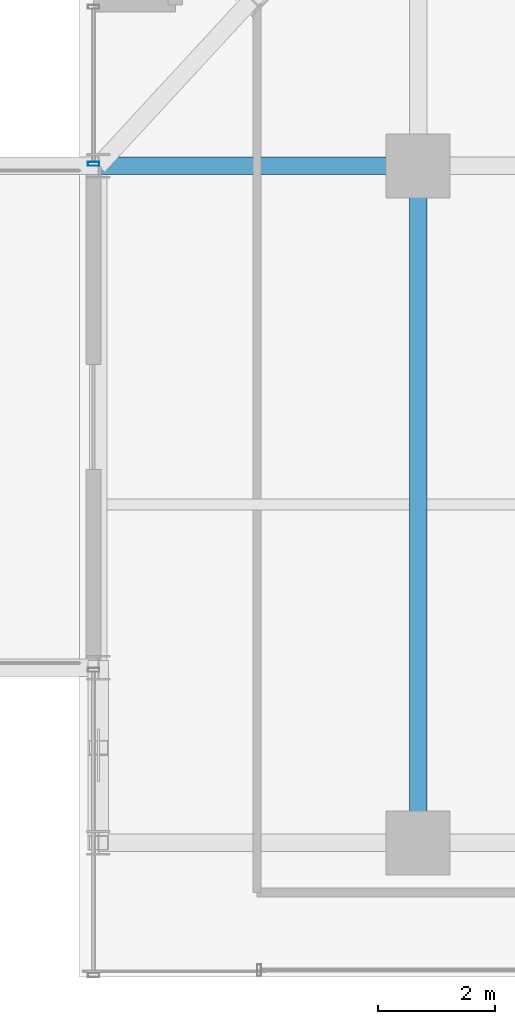
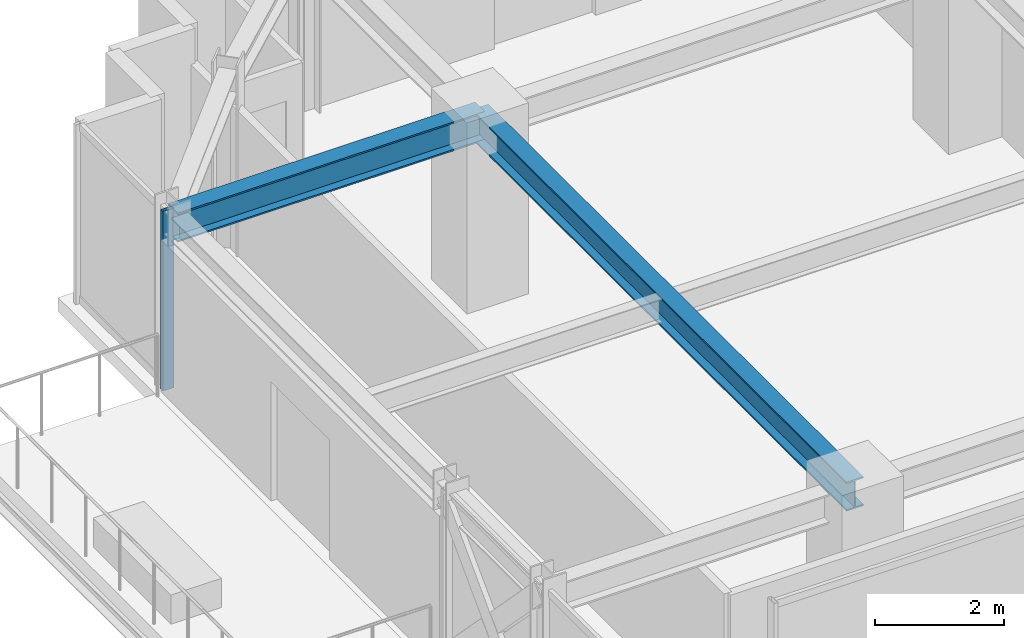
# One storey, part 21 of 37: 2 beams, 1 member, 1 element without a shape of its own.
"""IFC4 building model written with IfcOpenShell, lengths in metres."""

import ifcopenshell
import ifcopenshell.guid

model = None  # the IFC model being written
_history = None  # IfcOwnerHistory: only IFC2X3 demands one
_inside = {}  # id of a spatial element -> (the spatial element, [elements in it])
_under = {}  # id of a project, library or spatial element -> (it, [spatial elements below it])
_declared = {}  # id of a project -> (the project, [libraries it declares])
_typed = {}  # id of a type object -> (the type object, [elements of that type])
_made_of = {}  # id of a material, layer set ... -> (it, [elements and type objects made of it])


def new_model(schema):
    """Start an empty IFC model of exactly this schema.

    Asked for "IFC4X3", IfcOpenShell would pick the latest addendum, in which some entities
    have other attributes; the version numbers below select the first issue.
    IFC2X3 requires an IfcOwnerHistory on every rooted entity: one is made here for all.
    """
    global model, _history
    if schema == "IFC4X3":
        model = ifcopenshell.file(schema_version=(4, 3, 0, 0))
    else:
        model = ifcopenshell.file(schema=schema)
    _inside.clear()
    _under.clear()
    _declared.clear()
    _typed.clear()
    _made_of.clear()
    _history = None
    if model.schema == "IFC2X3":
        org = make("IfcOrganization", Name="unknown")
        user = make(
            "IfcPersonAndOrganization",
            ThePerson=make("IfcPerson", FamilyName="unknown"),
            TheOrganization=org,
        )
        app = make(
            "IfcApplication",
            ApplicationDeveloper=org,
            Version="unknown",
            ApplicationFullName="unknown",
            ApplicationIdentifier="unknown",
        )
        _history = make(
            "IfcOwnerHistory",
            OwningUser=user,
            OwningApplication=app,
            ChangeAction="ADDED",
            CreationDate=0,
        )
    return model


def make(cls, **values):
    """One entity of the class cls with the attributes given. An attribute that is None is left unset."""
    return model.create_entity(
        cls, **{name: value for name, value in values.items() if value is not None}
    )


def rooted(cls, **values):
    """An entity with a GlobalId (a new one), such as an element, a storey or a relation."""
    return make(cls, GlobalId=ifcopenshell.guid.new(), OwnerHistory=_history, **values)


def si_unit(unit_type, name, prefix=None):
    """IfcSIUnit, for example si_unit("LENGTHUNIT", "METRE", prefix="MILLI")."""
    return make("IfcSIUnit", UnitType=unit_type, Prefix=prefix, Name=name)


def assignment(units):
    """IfcUnitAssignment: the units of a project."""
    return None if units is None else make("IfcUnitAssignment", Units=units)


def point(xyz):
    """IfcCartesianPoint."""
    return None if xyz is None else make("IfcCartesianPoint", Coordinates=xyz)


def direction(xyz):
    """IfcDirection."""
    return None if xyz is None else make("IfcDirection", DirectionRatios=xyz)


def frame(location, z_axis=None, x_axis=None):
    """IfcAxis2Placement3D, a coordinate frame: its origin and axes. An axis left out is left unset."""
    return make(
        "IfcAxis2Placement3D",
        Location=point(location),
        Axis=direction(z_axis),
        RefDirection=direction(x_axis),
    )


def frame_2d(location, x_axis=None):
    """IfcAxis2Placement2D, a coordinate frame in the plane: its origin and x axis."""
    return make(
        "IfcAxis2Placement2D", Location=point(location), RefDirection=direction(x_axis)
    )


def origin():
    """The frame at (0, 0, 0) with its axes left unset."""
    return frame((0.0, 0.0, 0.0))


def origin_2d():
    """The frame at (0, 0) in the plane with its x axis left unset."""
    return frame_2d((0.0, 0.0))


def place(relative_to, where):
    """IfcLocalPlacement: puts the frame where relative to a parent placement (None: the world)."""
    return make(
        "IfcLocalPlacement", PlacementRelTo=relative_to, RelativePlacement=where
    )


def context(
    kind, dimensions, precision=None, world=None, true_north=None, identifier=None
):
    """IfcGeometricRepresentationContext, for example the 3D "Model" context."""
    return make(
        "IfcGeometricRepresentationContext",
        ContextIdentifier=identifier,
        ContextType=kind,
        CoordinateSpaceDimension=dimensions,
        Precision=precision,
        WorldCoordinateSystem=world,
        TrueNorth=true_north,
    )


def subcontext(parent, identifier, kind, view, scale=None):
    """IfcGeometricRepresentationSubContext, for example "Body" below "Model"."""
    return make(
        "IfcGeometricRepresentationSubContext",
        ContextIdentifier=identifier,
        ContextType=kind,
        ParentContext=parent,
        TargetScale=scale,
        TargetView=view,
    )


def project(units=None, contexts=None):
    """IfcProject with its units and contexts."""
    return rooted(
        "IfcProject",
        Name="project",
        RepresentationContexts=contexts,
        UnitsInContext=assignment(units),
    )


def spatial(cls, under=None, at=None, **own):
    """A site, building, storey or space (cls), placed at a placement, below another one or the project."""
    s = rooted(cls, ObjectPlacement=at, **own)
    if under is not None:
        _under.setdefault(under.id(), (under, []))[1].append(s)
    return s


def profile(cls, at=None, kind="AREA", **sizes):
    """A parametric profile (cls). Its sizes go by their IFC names, for example OverallWidth=200.0."""
    return make(cls, ProfileType=kind, Position=at, **sizes)


def hollow_rectangle(**sizes):
    """IfcRectangleHollowProfileDef."""
    return profile("IfcRectangleHollowProfileDef", **sizes)


def i_section(**sizes):
    """IfcIShapeProfileDef."""
    return profile("IfcIShapeProfileDef", **sizes)


def extrude(swept, where, along, depth):
    """IfcExtrudedAreaSolid: the profile swept, set in the frame where, extruded along a direction by depth."""
    return make(
        "IfcExtrudedAreaSolid",
        SweptArea=swept,
        Position=where,
        ExtrudedDirection=direction(along),
        Depth=depth,
    )


def shape(context_of_items, identifier, shape_type, items):
    """IfcShapeRepresentation: the items that make up one representation, for example the "Body"."""
    return make(
        "IfcShapeRepresentation",
        ContextOfItems=context_of_items,
        RepresentationIdentifier=identifier,
        RepresentationType=shape_type,
        Items=items,
    )


def source(mapping_origin, context_of_items, identifier, shape_type, items):
    """IfcRepresentationMap: a shape defined once, which mapped items show again and again."""
    return make(
        "IfcRepresentationMap",
        MappingOrigin=mapping_origin,
        MappedRepresentation=shape(context_of_items, identifier, shape_type, items),
    )


def transform(
    local_origin,
    x_axis=None,
    y_axis=None,
    z_axis=None,
    scale=None,
    scale2=None,
    scale3=None,
    uniform=True,
):
    """IfcCartesianTransformationOperator3D, or its non-uniform kind. x_axis, y_axis, z_axis: its Axis1, 2, 3."""
    if uniform:
        return make(
            "IfcCartesianTransformationOperator3D",
            Axis1=direction(x_axis),
            Axis2=direction(y_axis),
            LocalOrigin=point(local_origin),
            Scale=scale,
            Axis3=direction(z_axis),
        )
    return make(
        "IfcCartesianTransformationOperator3DnonUniform",
        Axis1=direction(x_axis),
        Axis2=direction(y_axis),
        LocalOrigin=point(local_origin),
        Scale=scale,
        Axis3=direction(z_axis),
        Scale2=scale2,
        Scale3=scale3,
    )


def mapped(mapping_source, mapping_target):
    """IfcMappedItem: shows the shape of a source again, moved by a transform."""
    return make(
        "IfcMappedItem", MappingSource=mapping_source, MappingTarget=mapping_target
    )


def material(Name=None, Category=None):
    """IfcMaterial."""
    return make("IfcMaterial", Name=Name, Category=Category)


def material_profile(
    of_material, cross_section, Name=None, Category=None, Priority=None
):
    """IfcMaterialProfile: a cross section and its material."""
    return make(
        "IfcMaterialProfile",
        Name=Name,
        Material=of_material,
        Profile=cross_section,
        Priority=Priority,
        Category=Category,
    )


def profile_set(profiles, Name=None, composite=None):
    """IfcMaterialProfileSet."""
    return make(
        "IfcMaterialProfileSet",
        Name=Name,
        MaterialProfiles=profiles,
        CompositeProfile=composite,
    )


def made_of(thing, what):
    """Note that an element or type object is made of a material, layer set ...; save() writes the relation."""
    if what is not None:
        _made_of.setdefault(what.id(), (what, []))[1].append(thing)
    return thing


def type_object(cls, material=None, **own):
    """A type object (cls), such as IfcWallType, which elements share."""
    return made_of(rooted(cls, **own), material)


def element(
    cls,
    number,
    at=None,
    inside=None,
    cuts=None,
    type_object=None,
    material=None,
    context=None,
    identifier="Body",
    shape_type=None,
    held_by="IfcProductDefinitionShape",
    body=None,
    shapes=None,
    **own,
):
    """One element of the class cls, such as IfcWall. Its Tag is "e" and its number.

    at: its placement. inside: the storey or other place that contains it. cuts: it is an
    opening in that element (IfcRelVoidsElement). A single representation is given by context,
    identifier, shape_type and body (its items); several are given by shapes. held_by: the class
    of the entity that holds the representations. save() writes the other relations.
    """
    e = rooted(cls, Tag="e%d" % number, ObjectPlacement=at, **own)
    if body is not None:
        shapes = [shape(context, identifier, shape_type, body)]
    if shapes is not None:
        e.Representation = make(held_by, Representations=shapes)
    if inside is not None:
        _inside.setdefault(inside.id(), (inside, []))[1].append(e)
    if cuts is not None:
        rooted(
            "IfcRelVoidsElement", RelatingBuildingElement=cuts, RelatedOpeningElement=e
        )
    if type_object is not None:
        _typed.setdefault(type_object.id(), (type_object, []))[1].append(e)
    return made_of(e, material)


def aggregate(whole, parts):
    """IfcRelAggregates: a whole, such as a stair, and the parts it consists of."""
    return rooted("IfcRelAggregates", RelatingObject=whole, RelatedObjects=parts)


def save(model, path):
    """Write the relations noted so far, then the file.

    IfcRelAggregates (storeys below a building ...), IfcRelContainedInSpatialStructure (elements
    in a storey), IfcRelDefinesByType, IfcRelAssociatesMaterial and IfcRelDeclares: one each for
    every whole, place, type object, material and project.
    """
    for whole, parts in _under.values():
        aggregate(whole, parts)
    for where, things in _inside.values():
        rooted(
            "IfcRelContainedInSpatialStructure",
            RelatedElements=things,
            RelatingStructure=where,
        )
    for kind, things in _typed.values():
        rooted("IfcRelDefinesByType", RelatedObjects=things, RelatingType=kind)
    for what, things in _made_of.values():
        rooted("IfcRelAssociatesMaterial", RelatedObjects=things, RelatingMaterial=what)
    for by, libraries in _declared.values():
        rooted("IfcRelDeclares", RelatingContext=by, RelatedDefinitions=libraries)
    model.write(path)


model = new_model("IFC4")

# Units and contexts
model_context = context("Model", 3, precision=1e-05, world=origin(), true_north=direction((0.0, 1.0)))
body_context = subcontext(model_context, "Body", "Model", "MODEL_VIEW")
ifc_project = project(units=[si_unit("LENGTHUNIT", "METRE"), si_unit("AREAUNIT", "SQUARE_METRE"), si_unit("VOLUMEUNIT", "CUBIC_METRE"), si_unit("PLANEANGLEUNIT", "RADIAN"), si_unit("MASSUNIT", "GRAM", prefix="KILO")], contexts=[model_context])

# Site, building, storey
site_placement = place(None, origin())
site = spatial("IfcSite", under=ifc_project, at=site_placement, CompositionType="ELEMENT")
building_placement = place(site_placement, origin())
building = spatial("IfcBuilding", under=site, at=building_placement, Name="Nahalor Promenade Grand Hotel", CompositionType="ELEMENT")
storey_placement = place(building_placement, frame((0.0, 0.0, 167.25)))
storey = spatial("IfcBuildingStorey", under=building, at=storey_placement, Name="L42", CompositionType="ELEMENT", Elevation=167.25)

# Beams
ifc_material_1 = material(Name="Steel S355JR", Category="steel")
ifc_material_profile_1 = material_profile(ifc_material_1, i_section(OverallWidth=0.3, OverallDepth=0.55, WebThickness=0.015, FlangeThickness=0.029, at=origin_2d()), Name="HEB 550")
ifc_profile_set_1 = profile_set([ifc_material_profile_1], Name="Steel S355JR")
beam_type = type_object("IfcBeamType", Name="Beam-Girder-HEB550", PredefinedType="BEAM", material=ifc_profile_set_1)
shared_shape_1 = source(origin(), body_context, "Body", "SweptSolid", [
    extrude(i_section(OverallWidth=0.3, OverallDepth=0.55, WebThickness=0.015, FlangeThickness=0.029, at=origin_2d()), origin(), (0.0, 0.0, 1.0), 11.60009765625),
])
beam_1_placement = place(storey_placement, frame((-17.0, 5.39990234375, 3.114990234375), z_axis=(0.0, 1.0, 0.0), x_axis=(-1.0, 0.0, 0.0)))
element("IfcBeam", 1, at=beam_1_placement, inside=storey, type_object=beam_type, Name="BM-L42-GY-0-3", PredefinedType="BEAM", context=body_context, shape_type="MappedRepresentation", body=[
    mapped(shared_shape_1, transform((0.0, 0.0, 0.0), scale=1.0)),
])
shared_shape_2 = source(origin(), body_context, "Body", "SweptSolid", [
    extrude(i_section(OverallWidth=0.3, OverallDepth=0.55, WebThickness=0.015, FlangeThickness=0.029, at=origin_2d()), origin(), (0.0, 0.0, 1.0), 5.47998046875),
])
beam_2_placement = place(storey_placement, frame((-22.47998046875, 17.0, 3.114990234375), z_axis=(1.0, 0.0, 0.0), x_axis=(0.0, 1.0, 0.0)))
element("IfcBeam", 2, at=beam_2_placement, inside=storey, type_object=beam_type, Name="BM-L42-GX-3-0", PredefinedType="BEAM", context=body_context, shape_type="MappedRepresentation", body=[
    mapped(shared_shape_2, transform((0.0, 0.0, 0.0), scale=1.0)),
])

# Curtain wall, member
ifc_material_2 = material(Name="Anodised Bronze Aluminium EN AW-6063 T6", Category="aluminium")
curtain_wall_type = type_object("IfcCurtainWallType", Name="CW3 Elliptical-Void Collar Unitised Curtain Wall", PredefinedType="USERDEFINED", material=ifc_material_2)
curtain_wall_placement = place(storey_placement, origin())
curtain_wall = element("IfcCurtainWall", 3, at=curtain_wall_placement, inside=storey, type_object=curtain_wall_type, Name="L42 Curtain Wall CW-L42-W-4", ObjectType="UNITISED_CURTAIN_WALL", PredefinedType="USERDEFINED")
ifc_material_profile_2 = material_profile(ifc_material_2, hollow_rectangle(XDim=0.07, YDim=0.2, WallThickness=0.005, at=origin_2d()), Name="CWM 70x200x5")
ifc_profile_set_2 = profile_set([ifc_material_profile_2], Name="Anodised Bronze Aluminium EN AW-6063 T6")
member_type = type_object("IfcMemberType", Name="CWM3 Void Collar Mullion 70x200", PredefinedType="MULLION", material=ifc_profile_set_2)
shared_shape_3 = source(origin(), body_context, "Body", "SweptSolid", [
    extrude(hollow_rectangle(XDim=0.07, YDim=0.2, WallThickness=0.005, at=origin_2d()), origin(), (0.0, 0.0, 1.0), 3.389892578125),
])
member_placement = place(storey_placement, frame((-22.56005859375, 17.034912109375, 0.0), z_axis=(0.0, 0.0, 1.0), x_axis=(0.0, 1.0, 0.0)))
member = element("IfcMember", 4, at=member_placement, type_object=member_type, Name="CW-L42-W-4 Mullion 0", PredefinedType="MULLION", context=body_context, shape_type="MappedRepresentation", body=[
    mapped(shared_shape_3, transform((0.0, 0.0, 0.0), scale=1.0)),
])
aggregate(curtain_wall, [member])

save(model, "model.ifc")
